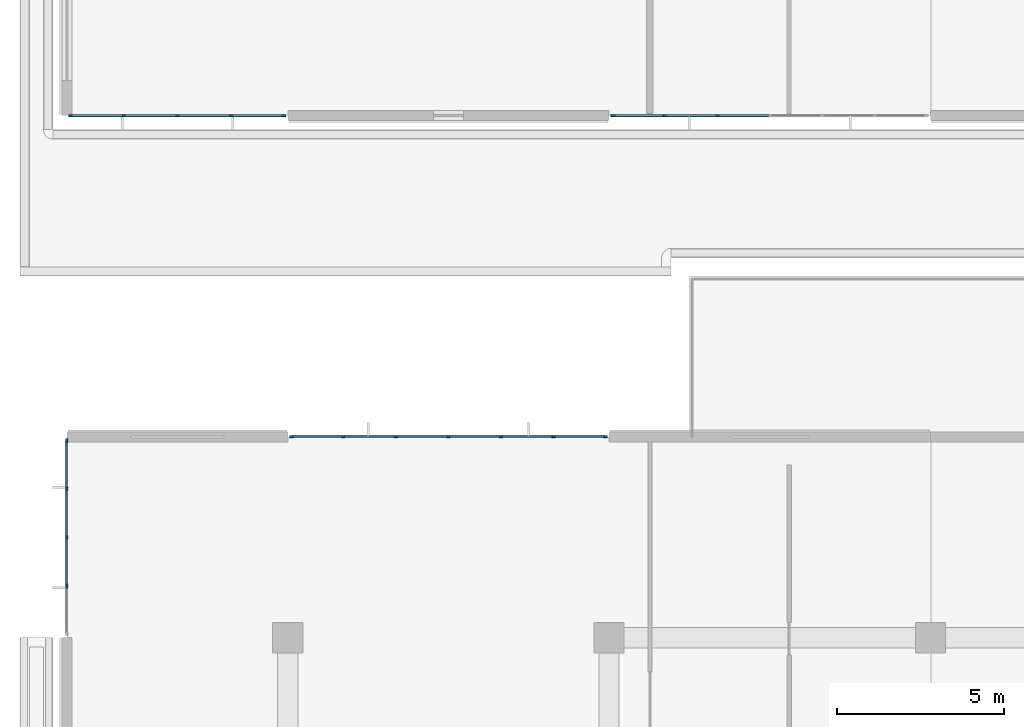
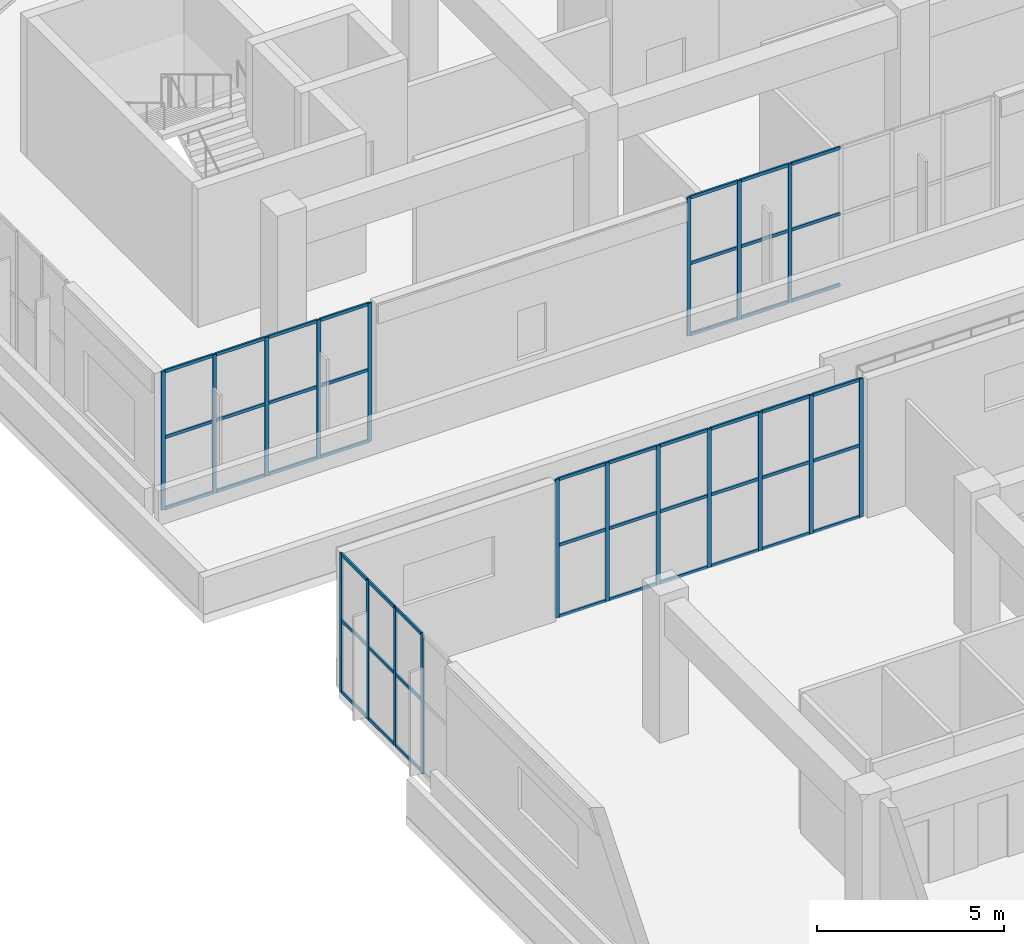
# One storey, part 11 of 96: 67 members, 4 elements without a shape of their own.
"""IFC4 building model written with IfcOpenShell, lengths in metres."""

from ifc_helpers import new_model, si_unit, direction, frame, origin, origin_2d, place, context, subcontext, project, spatial, rectangle, extrude, material, layer, layer_set, material_profile, profile_set, type_object, element, aggregate, save


model = new_model("IFC4")

# Units and contexts
model_context = context("Model", 3, precision=1e-05, world=origin(), true_north=direction((0.0, 1.0)))
body_context = subcontext(model_context, "Body", "Model", "MODEL_VIEW")
ifc_project = project(units=[si_unit("LENGTHUNIT", "METRE"), si_unit("AREAUNIT", "SQUARE_METRE"), si_unit("VOLUMEUNIT", "CUBIC_METRE"), si_unit("PLANEANGLEUNIT", "RADIAN"), si_unit("MASSUNIT", "GRAM", prefix="KILO")], contexts=[model_context])

# Site, building, storey
site_placement = place(None, origin())
site = spatial("IfcSite", under=ifc_project, at=site_placement, CompositionType="ELEMENT")
building_placement = place(site_placement, origin())
building = spatial("IfcBuilding", under=site, at=building_placement, Name="Cendralis Terraced Arcade", CompositionType="ELEMENT")
storey_placement = place(building_placement, frame((0.0, 0.0, 10.199951171875)))
storey = spatial("IfcBuildingStorey", under=building, at=storey_placement, Name="L02", CompositionType="ELEMENT", Elevation=10.199951171875)

# Curtain wall, members
ifc_material = material(Name="Anodised aluminium EN AW-6063 T6", Category="aluminium")
ifc_layer = layer(ifc_material, 0.1201171875, Name="CW-STORE-B")
ifc_layer_set = layer_set([ifc_layer], Name="Anodised aluminium EN AW-6063 T6")
curtain_wall_type = type_object("IfcCurtainWallType", Name="CW-STORE-B", PredefinedType="USERDEFINED", material=ifc_layer_set)
curtain_wall_1_placement = place(storey_placement, origin())
curtain_wall_1 = element("IfcCurtainWall", 1, at=curtain_wall_1_placement, inside=storey, type_object=curtain_wall_type, Name="Exterior Storefront Glazing CW-L02-0128", ObjectType="STOREFRONT GLAZING", PredefinedType="USERDEFINED")
ifc_material_profile_1 = material_profile(ifc_material, rectangle(XDim=0.054931640625, YDim=0.1201171875, at=origin_2d()), Name="ALU-MUL-55x120")
ifc_profile_set_1 = profile_set([ifc_material_profile_1], Name="Anodised aluminium EN AW-6063 T6")
member_type_1 = type_object("IfcMemberType", Name="CW-STORE-B-MUL", PredefinedType="MULLION", material=ifc_profile_set_1)
member_1_placement = place(storey_placement, frame((22.429931640625, 64.800048828125, 0.0), z_axis=(0.0, 0.0, 1.0), x_axis=(0.0, -1.0, 0.0)))
member_1 = element("IfcMember", 2, at=member_1_placement, type_object=member_type_1, Name="CW-S2 mullion 5", PredefinedType="MULLION", context=body_context, shape_type="SweptSolid", body=[
    extrude(rectangle(XDim=0.054931640625, YDim=0.1201171875, at=origin_2d()), origin(), (0.0, 0.0, 1.0), 4.51513671875),
])
member_2_placement = place(storey_placement, frame((20.860107421875, 64.800048828125, 0.0), z_axis=(0.0, 0.0, 1.0), x_axis=(0.0, -1.0, 0.0)))
member_2 = element("IfcMember", 3, at=member_2_placement, type_object=member_type_1, Name="CW-S2 mullion 6", PredefinedType="MULLION", context=body_context, shape_type="SweptSolid", body=[
    extrude(rectangle(XDim=0.054931640625, YDim=0.1201171875, at=origin_2d()), origin(), (0.0, 0.0, 1.0), 4.51513671875),
])
member_3_placement = place(storey_placement, frame((19.3173828125, 64.800048828125, 0.0), z_axis=(0.0, 0.0, 1.0), x_axis=(0.0, -1.0, 0.0)))
member_3 = element("IfcMember", 4, at=member_3_placement, type_object=member_type_1, Name="CW-S2 mullion 7", PredefinedType="MULLION", context=body_context, shape_type="SweptSolid", body=[
    extrude(rectangle(XDim=0.054931640625, YDim=0.1201171875, at=origin_2d()), origin(), (0.0, 0.0, 1.0), 4.51513671875),
])

curtain_wall_2_placement = place(storey_placement, origin())
curtain_wall_2 = element("IfcCurtainWall", 5, at=curtain_wall_2_placement, inside=storey, type_object=curtain_wall_type, Name="Exterior Storefront Glazing CW-L02-0129", ObjectType="STOREFRONT GLAZING", PredefinedType="USERDEFINED")
member_4_placement = place(storey_placement, frame((9.482421875, 64.800048828125, 0.0), z_axis=(0.0, 0.0, 1.0), x_axis=(0.0, -1.0, 0.0)))
member_4 = element("IfcMember", 6, at=member_4_placement, type_object=member_type_1, Name="CW-S2 mullion 1", PredefinedType="MULLION", context=body_context, shape_type="SweptSolid", body=[
    extrude(rectangle(XDim=0.054931640625, YDim=0.1201171875, at=origin_2d()), origin(), (0.0, 0.0, 1.0), 4.51513671875),
])
member_5_placement = place(storey_placement, frame((7.905029296875, 64.800048828125, 0.0), z_axis=(0.0, 0.0, 1.0), x_axis=(0.0, -1.0, 0.0)))
member_5 = element("IfcMember", 7, at=member_5_placement, type_object=member_type_1, Name="CW-S2 mullion 2", PredefinedType="MULLION", context=body_context, shape_type="SweptSolid", body=[
    extrude(rectangle(XDim=0.054931640625, YDim=0.1201171875, at=origin_2d()), origin(), (0.0, 0.0, 1.0), 4.51513671875),
])
member_6_placement = place(storey_placement, frame((6.300048828125, 64.800048828125, 0.0), z_axis=(0.0, 0.0, 1.0), x_axis=(0.0, -1.0, 0.0)))
member_6 = element("IfcMember", 8, at=member_6_placement, type_object=member_type_1, Name="CW-S2 mullion 3", PredefinedType="MULLION", context=body_context, shape_type="SweptSolid", body=[
    extrude(rectangle(XDim=0.054931640625, YDim=0.1201171875, at=origin_2d()), origin(), (0.0, 0.0, 1.0), 4.51513671875),
])
member_7_placement = place(storey_placement, frame((4.695068359375, 64.800048828125, 0.0), z_axis=(0.0, 0.0, 1.0), x_axis=(0.0, -1.0, 0.0)))
member_7 = element("IfcMember", 9, at=member_7_placement, type_object=member_type_1, Name="CW-S2 mullion 4", PredefinedType="MULLION", context=body_context, shape_type="SweptSolid", body=[
    extrude(rectangle(XDim=0.054931640625, YDim=0.1201171875, at=origin_2d()), origin(), (0.0, 0.0, 1.0), 4.51513671875),
])
member_8_placement = place(storey_placement, frame((3.117431640625, 64.800048828125, 0.0), z_axis=(0.0, 0.0, 1.0), x_axis=(0.0, -1.0, 0.0)))
member_8 = element("IfcMember", 10, at=member_8_placement, type_object=member_type_1, Name="CW-S2 mullion 5", PredefinedType="MULLION", context=body_context, shape_type="SweptSolid", body=[
    extrude(rectangle(XDim=0.054931640625, YDim=0.1201171875, at=origin_2d()), origin(), (0.0, 0.0, 1.0), 4.51513671875),
])

curtain_wall_3_placement = place(storey_placement, origin())
curtain_wall_3 = element("IfcCurtainWall", 11, at=curtain_wall_3_placement, inside=storey, type_object=curtain_wall_type, Name="Exterior Storefront Glazing CW-L02-0222", ObjectType="STOREFRONT GLAZING", PredefinedType="USERDEFINED")
member_9_placement = place(storey_placement, frame((3.0, 50.7451171875, 0.0), z_axis=(0.0, 0.0, 1.0), x_axis=(-1.0, 0.0, 0.0)))
member_9 = element("IfcMember", 12, at=member_9_placement, type_object=member_type_1, Name="CW-S2 mullion 2", PredefinedType="MULLION", context=body_context, shape_type="SweptSolid", body=[
    extrude(rectangle(XDim=0.054931640625, YDim=0.1201171875, at=origin_2d()), origin(), (0.0, 0.0, 1.0), 4.51513671875),
])
member_10_placement = place(storey_placement, frame((3.0, 52.199951171875, 0.0), z_axis=(0.0, 0.0, 1.0), x_axis=(-1.0, 0.0, 0.0)))
member_10 = element("IfcMember", 13, at=member_10_placement, type_object=member_type_1, Name="CW-S2 mullion 3", PredefinedType="MULLION", context=body_context, shape_type="SweptSolid", body=[
    extrude(rectangle(XDim=0.054931640625, YDim=0.1201171875, at=origin_2d()), origin(), (0.0, 0.0, 1.0), 4.51513671875),
])
member_11_placement = place(storey_placement, frame((3.0, 53.655029296875, 0.0), z_axis=(0.0, 0.0, 1.0), x_axis=(-1.0, 0.0, 0.0)))
member_11 = element("IfcMember", 14, at=member_11_placement, type_object=member_type_1, Name="CW-S2 mullion 4", PredefinedType="MULLION", context=body_context, shape_type="SweptSolid", body=[
    extrude(rectangle(XDim=0.054931640625, YDim=0.1201171875, at=origin_2d()), origin(), (0.0, 0.0, 1.0), 4.51513671875),
])
member_12_placement = place(storey_placement, frame((3.0, 55.08251953125, 0.0), z_axis=(0.0, 0.0, 1.0), x_axis=(-1.0, 0.0, 0.0)))
member_12 = element("IfcMember", 15, at=member_12_placement, type_object=member_type_1, Name="CW-S2 mullion 5", PredefinedType="MULLION", context=body_context, shape_type="SweptSolid", body=[
    extrude(rectangle(XDim=0.054931640625, YDim=0.1201171875, at=origin_2d()), origin(), (0.0, 0.0, 1.0), 4.51513671875),
])

curtain_wall_4_placement = place(storey_placement, origin())
curtain_wall_4 = element("IfcCurtainWall", 16, at=curtain_wall_4_placement, inside=storey, type_object=curtain_wall_type, Name="Exterior Storefront Glazing CW-L02-0223", ObjectType="STOREFRONT GLAZING", PredefinedType="USERDEFINED")
member_13_placement = place(storey_placement, frame((9.717529296875, 55.199951171875, 0.0), z_axis=(0.0, 0.0, 1.0), x_axis=(0.0, 1.0, 0.0)))
member_13 = element("IfcMember", 17, at=member_13_placement, type_object=member_type_1, Name="CW-S2 mullion 1", PredefinedType="MULLION", context=body_context, shape_type="SweptSolid", body=[
    extrude(rectangle(XDim=0.054931640625, YDim=0.1201171875, at=origin_2d()), origin(), (0.0, 0.0, 1.0), 4.51513671875),
])
member_14_placement = place(storey_placement, frame((11.260009765625, 55.199951171875, 0.0), z_axis=(0.0, 0.0, 1.0), x_axis=(0.0, 1.0, 0.0)))
member_14 = element("IfcMember", 18, at=member_14_placement, type_object=member_type_1, Name="CW-S2 mullion 2", PredefinedType="MULLION", context=body_context, shape_type="SweptSolid", body=[
    extrude(rectangle(XDim=0.054931640625, YDim=0.1201171875, at=origin_2d()), origin(), (0.0, 0.0, 1.0), 4.51513671875),
])
member_15_placement = place(storey_placement, frame((12.830078125, 55.199951171875, 0.0), z_axis=(0.0, 0.0, 1.0), x_axis=(0.0, 1.0, 0.0)))
member_15 = element("IfcMember", 19, at=member_15_placement, type_object=member_type_1, Name="CW-S2 mullion 3", PredefinedType="MULLION", context=body_context, shape_type="SweptSolid", body=[
    extrude(rectangle(XDim=0.054931640625, YDim=0.1201171875, at=origin_2d()), origin(), (0.0, 0.0, 1.0), 4.51513671875),
])
member_16_placement = place(storey_placement, frame((14.39990234375, 55.199951171875, 0.0), z_axis=(0.0, 0.0, 1.0), x_axis=(0.0, 1.0, 0.0)))
member_16 = element("IfcMember", 20, at=member_16_placement, type_object=member_type_1, Name="CW-S2 mullion 4", PredefinedType="MULLION", context=body_context, shape_type="SweptSolid", body=[
    extrude(rectangle(XDim=0.054931640625, YDim=0.1201171875, at=origin_2d()), origin(), (0.0, 0.0, 1.0), 4.51513671875),
])
member_17_placement = place(storey_placement, frame((15.969970703125, 55.199951171875, 0.0), z_axis=(0.0, 0.0, 1.0), x_axis=(0.0, 1.0, 0.0)))
member_17 = element("IfcMember", 21, at=member_17_placement, type_object=member_type_1, Name="CW-S2 mullion 5", PredefinedType="MULLION", context=body_context, shape_type="SweptSolid", body=[
    extrude(rectangle(XDim=0.054931640625, YDim=0.1201171875, at=origin_2d()), origin(), (0.0, 0.0, 1.0), 4.51513671875),
])
member_18_placement = place(storey_placement, frame((17.5400390625, 55.199951171875, 0.0), z_axis=(0.0, 0.0, 1.0), x_axis=(0.0, 1.0, 0.0)))
member_18 = element("IfcMember", 22, at=member_18_placement, type_object=member_type_1, Name="CW-S2 mullion 6", PredefinedType="MULLION", context=body_context, shape_type="SweptSolid", body=[
    extrude(rectangle(XDim=0.054931640625, YDim=0.1201171875, at=origin_2d()), origin(), (0.0, 0.0, 1.0), 4.51513671875),
])
member_19_placement = place(storey_placement, frame((19.08251953125, 55.199951171875, 0.0), z_axis=(0.0, 0.0, 1.0), x_axis=(0.0, 1.0, 0.0)))
member_19 = element("IfcMember", 23, at=member_19_placement, type_object=member_type_1, Name="CW-S2 mullion 7", PredefinedType="MULLION", context=body_context, shape_type="SweptSolid", body=[
    extrude(rectangle(XDim=0.054931640625, YDim=0.1201171875, at=origin_2d()), origin(), (0.0, 0.0, 1.0), 4.51513671875),
])

# Member
ifc_material_profile_2 = material_profile(ifc_material, rectangle(XDim=0.054931640625, YDim=0.10009765625, at=origin_2d()), Name="ALU-TRN-55x100")
ifc_profile_set_2 = profile_set([ifc_material_profile_2], Name="Anodised aluminium EN AW-6063 T6")
member_type_2 = type_object("IfcMemberType", Name="CW-STORE-B-TRN", PredefinedType="USERDEFINED", material=ifc_profile_set_2)
member_20_placement = place(storey_placement, frame((23.972412109375, 64.800048828125, 0.027587890625), z_axis=(-1.0, 0.0, 0.0), x_axis=(0.0, -1.0, 0.0)))
member_20 = element("IfcMember", 24, at=member_20_placement, type_object=member_type_2, Name="CW-S2 transom 4.1", ObjectType="TRANSOM", PredefinedType="USERDEFINED", context=body_context, shape_type="SweptSolid", body=[
    extrude(rectangle(XDim=0.054931640625, YDim=0.10009765625, at=origin_2d()), origin(), (0.0, 0.0, 1.0), 1.514892578125),
])

member_21_placement = place(storey_placement, frame((23.972412109375, 64.800048828125, 2.347900390625), z_axis=(-1.0, 0.0, 0.0), x_axis=(0.0, -1.0, 0.0)))
member_21 = element("IfcMember", 25, at=member_21_placement, type_object=member_type_2, Name="CW-S2 transom 4.2", ObjectType="TRANSOM", PredefinedType="USERDEFINED", context=body_context, shape_type="SweptSolid", body=[
    extrude(rectangle(XDim=0.054931640625, YDim=0.10009765625, at=origin_2d()), origin(), (0.0, 0.0, 1.0), 1.514892578125),
])

member_22_placement = place(storey_placement, frame((23.972412109375, 64.800048828125, 4.487548828125), z_axis=(-1.0, 0.0, 0.0), x_axis=(0.0, -1.0, 0.0)))
member_22 = element("IfcMember", 26, at=member_22_placement, type_object=member_type_2, Name="CW-S2 transom 4.3", ObjectType="TRANSOM", PredefinedType="USERDEFINED", context=body_context, shape_type="SweptSolid", body=[
    extrude(rectangle(XDim=0.054931640625, YDim=0.10009765625, at=origin_2d()), origin(), (0.0, 0.0, 1.0), 1.514892578125),
])

member_23_placement = place(storey_placement, frame((22.402587890625, 64.800048828125, 0.027587890625), z_axis=(-1.0, 0.0, 0.0), x_axis=(0.0, -1.0, 0.0)))
member_23 = element("IfcMember", 27, at=member_23_placement, type_object=member_type_2, Name="CW-S2 transom 5.1", ObjectType="TRANSOM", PredefinedType="USERDEFINED", context=body_context, shape_type="SweptSolid", body=[
    extrude(rectangle(XDim=0.054931640625, YDim=0.10009765625, at=origin_2d()), origin(), (0.0, 0.0, 1.0), 1.51513671875),
])

member_24_placement = place(storey_placement, frame((22.402587890625, 64.800048828125, 2.347900390625), z_axis=(-1.0, 0.0, 0.0), x_axis=(0.0, -1.0, 0.0)))
member_24 = element("IfcMember", 28, at=member_24_placement, type_object=member_type_2, Name="CW-S2 transom 5.2", ObjectType="TRANSOM", PredefinedType="USERDEFINED", context=body_context, shape_type="SweptSolid", body=[
    extrude(rectangle(XDim=0.054931640625, YDim=0.10009765625, at=origin_2d()), origin(), (0.0, 0.0, 1.0), 1.51513671875),
])

member_25_placement = place(storey_placement, frame((22.402587890625, 64.800048828125, 4.487548828125), z_axis=(-1.0, 0.0, 0.0), x_axis=(0.0, -1.0, 0.0)))
member_25 = element("IfcMember", 29, at=member_25_placement, type_object=member_type_2, Name="CW-S2 transom 5.3", ObjectType="TRANSOM", PredefinedType="USERDEFINED", context=body_context, shape_type="SweptSolid", body=[
    extrude(rectangle(XDim=0.054931640625, YDim=0.10009765625, at=origin_2d()), origin(), (0.0, 0.0, 1.0), 1.51513671875),
])

member_26_placement = place(storey_placement, frame((20.83251953125, 64.800048828125, 0.027587890625), z_axis=(-1.0, 0.0, 0.0), x_axis=(0.0, -1.0, 0.0)))
member_26 = element("IfcMember", 30, at=member_26_placement, type_object=member_type_2, Name="CW-S2 transom 6.1", ObjectType="TRANSOM", PredefinedType="USERDEFINED", context=body_context, shape_type="SweptSolid", body=[
    extrude(rectangle(XDim=0.054931640625, YDim=0.10009765625, at=origin_2d()), origin(), (0.0, 0.0, 1.0), 1.487548828125),
])

member_27_placement = place(storey_placement, frame((20.83251953125, 64.800048828125, 2.347900390625), z_axis=(-1.0, 0.0, 0.0), x_axis=(0.0, -1.0, 0.0)))
member_27 = element("IfcMember", 31, at=member_27_placement, type_object=member_type_2, Name="CW-S2 transom 6.2", ObjectType="TRANSOM", PredefinedType="USERDEFINED", context=body_context, shape_type="SweptSolid", body=[
    extrude(rectangle(XDim=0.054931640625, YDim=0.10009765625, at=origin_2d()), origin(), (0.0, 0.0, 1.0), 1.487548828125),
])

member_28_placement = place(storey_placement, frame((20.83251953125, 64.800048828125, 4.487548828125), z_axis=(-1.0, 0.0, 0.0), x_axis=(0.0, -1.0, 0.0)))
member_28 = element("IfcMember", 32, at=member_28_placement, type_object=member_type_2, Name="CW-S2 transom 6.3", ObjectType="TRANSOM", PredefinedType="USERDEFINED", context=body_context, shape_type="SweptSolid", body=[
    extrude(rectangle(XDim=0.054931640625, YDim=0.10009765625, at=origin_2d()), origin(), (0.0, 0.0, 1.0), 1.487548828125),
])

aggregate(curtain_wall_1, [member_1, member_2, member_3, member_20, member_21, member_22, member_23, member_24, member_25, member_26, member_27, member_28])

member_29_placement = place(storey_placement, frame((9.455078125, 64.800048828125, 0.027587890625), z_axis=(-1.0, 0.0, 0.0), x_axis=(0.0, -1.0, 0.0)))
member_29 = element("IfcMember", 33, at=member_29_placement, type_object=member_type_2, Name="CW-S2 transom 1.1", ObjectType="TRANSOM", PredefinedType="USERDEFINED", context=body_context, shape_type="SweptSolid", body=[
    extrude(rectangle(XDim=0.054931640625, YDim=0.10009765625, at=origin_2d()), origin(), (0.0, 0.0, 1.0), 1.5224609375),
])

member_30_placement = place(storey_placement, frame((9.455078125, 64.800048828125, 2.347900390625), z_axis=(-1.0, 0.0, 0.0), x_axis=(0.0, -1.0, 0.0)))
member_30 = element("IfcMember", 34, at=member_30_placement, type_object=member_type_2, Name="CW-S2 transom 1.2", ObjectType="TRANSOM", PredefinedType="USERDEFINED", context=body_context, shape_type="SweptSolid", body=[
    extrude(rectangle(XDim=0.054931640625, YDim=0.10009765625, at=origin_2d()), origin(), (0.0, 0.0, 1.0), 1.5224609375),
])

member_31_placement = place(storey_placement, frame((9.455078125, 64.800048828125, 4.487548828125), z_axis=(-1.0, 0.0, 0.0), x_axis=(0.0, -1.0, 0.0)))
member_31 = element("IfcMember", 35, at=member_31_placement, type_object=member_type_2, Name="CW-S2 transom 1.3", ObjectType="TRANSOM", PredefinedType="USERDEFINED", context=body_context, shape_type="SweptSolid", body=[
    extrude(rectangle(XDim=0.054931640625, YDim=0.10009765625, at=origin_2d()), origin(), (0.0, 0.0, 1.0), 1.5224609375),
])

member_32_placement = place(storey_placement, frame((7.87744140625, 64.800048828125, 0.027587890625), z_axis=(-1.0, 0.0, 0.0), x_axis=(0.0, -1.0, 0.0)))
member_32 = element("IfcMember", 36, at=member_32_placement, type_object=member_type_2, Name="CW-S2 transom 2.1", ObjectType="TRANSOM", PredefinedType="USERDEFINED", context=body_context, shape_type="SweptSolid", body=[
    extrude(rectangle(XDim=0.054931640625, YDim=0.10009765625, at=origin_2d()), origin(), (0.0, 0.0, 1.0), 1.550048828125),
])

member_33_placement = place(storey_placement, frame((7.87744140625, 64.800048828125, 2.347900390625), z_axis=(-1.0, 0.0, 0.0), x_axis=(0.0, -1.0, 0.0)))
member_33 = element("IfcMember", 37, at=member_33_placement, type_object=member_type_2, Name="CW-S2 transom 2.2", ObjectType="TRANSOM", PredefinedType="USERDEFINED", context=body_context, shape_type="SweptSolid", body=[
    extrude(rectangle(XDim=0.054931640625, YDim=0.10009765625, at=origin_2d()), origin(), (0.0, 0.0, 1.0), 1.550048828125),
])

member_34_placement = place(storey_placement, frame((7.87744140625, 64.800048828125, 4.487548828125), z_axis=(-1.0, 0.0, 0.0), x_axis=(0.0, -1.0, 0.0)))
member_34 = element("IfcMember", 38, at=member_34_placement, type_object=member_type_2, Name="CW-S2 transom 2.3", ObjectType="TRANSOM", PredefinedType="USERDEFINED", context=body_context, shape_type="SweptSolid", body=[
    extrude(rectangle(XDim=0.054931640625, YDim=0.10009765625, at=origin_2d()), origin(), (0.0, 0.0, 1.0), 1.550048828125),
])

member_35_placement = place(storey_placement, frame((6.2724609375, 64.800048828125, 0.027587890625), z_axis=(-1.0, 0.0, 0.0), x_axis=(0.0, -1.0, 0.0)))
member_35 = element("IfcMember", 39, at=member_35_placement, type_object=member_type_2, Name="CW-S2 transom 3.1", ObjectType="TRANSOM", PredefinedType="USERDEFINED", context=body_context, shape_type="SweptSolid", body=[
    extrude(rectangle(XDim=0.054931640625, YDim=0.10009765625, at=origin_2d()), origin(), (0.0, 0.0, 1.0), 1.550048828125),
])

member_36_placement = place(storey_placement, frame((6.2724609375, 64.800048828125, 2.347900390625), z_axis=(-1.0, 0.0, 0.0), x_axis=(0.0, -1.0, 0.0)))
member_36 = element("IfcMember", 40, at=member_36_placement, type_object=member_type_2, Name="CW-S2 transom 3.2", ObjectType="TRANSOM", PredefinedType="USERDEFINED", context=body_context, shape_type="SweptSolid", body=[
    extrude(rectangle(XDim=0.054931640625, YDim=0.10009765625, at=origin_2d()), origin(), (0.0, 0.0, 1.0), 1.550048828125),
])

member_37_placement = place(storey_placement, frame((6.2724609375, 64.800048828125, 4.487548828125), z_axis=(-1.0, 0.0, 0.0), x_axis=(0.0, -1.0, 0.0)))
member_37 = element("IfcMember", 41, at=member_37_placement, type_object=member_type_2, Name="CW-S2 transom 3.3", ObjectType="TRANSOM", PredefinedType="USERDEFINED", context=body_context, shape_type="SweptSolid", body=[
    extrude(rectangle(XDim=0.054931640625, YDim=0.10009765625, at=origin_2d()), origin(), (0.0, 0.0, 1.0), 1.550048828125),
])

member_38_placement = place(storey_placement, frame((4.66748046875, 64.800048828125, 0.027587890625), z_axis=(-1.0, 0.0, 0.0), x_axis=(0.0, -1.0, 0.0)))
member_38 = element("IfcMember", 42, at=member_38_placement, type_object=member_type_2, Name="CW-S2 transom 4.1", ObjectType="TRANSOM", PredefinedType="USERDEFINED", context=body_context, shape_type="SweptSolid", body=[
    extrude(rectangle(XDim=0.054931640625, YDim=0.10009765625, at=origin_2d()), origin(), (0.0, 0.0, 1.0), 1.5224609375),
])

member_39_placement = place(storey_placement, frame((4.66748046875, 64.800048828125, 2.347900390625), z_axis=(-1.0, 0.0, 0.0), x_axis=(0.0, -1.0, 0.0)))
member_39 = element("IfcMember", 43, at=member_39_placement, type_object=member_type_2, Name="CW-S2 transom 4.2", ObjectType="TRANSOM", PredefinedType="USERDEFINED", context=body_context, shape_type="SweptSolid", body=[
    extrude(rectangle(XDim=0.054931640625, YDim=0.10009765625, at=origin_2d()), origin(), (0.0, 0.0, 1.0), 1.5224609375),
])

member_40_placement = place(storey_placement, frame((4.66748046875, 64.800048828125, 4.487548828125), z_axis=(-1.0, 0.0, 0.0), x_axis=(0.0, -1.0, 0.0)))
member_40 = element("IfcMember", 44, at=member_40_placement, type_object=member_type_2, Name="CW-S2 transom 4.3", ObjectType="TRANSOM", PredefinedType="USERDEFINED", context=body_context, shape_type="SweptSolid", body=[
    extrude(rectangle(XDim=0.054931640625, YDim=0.10009765625, at=origin_2d()), origin(), (0.0, 0.0, 1.0), 1.5224609375),
])

aggregate(curtain_wall_2, [member_4, member_5, member_6, member_7, member_8, member_29, member_30, member_31, member_32, member_33, member_34, member_35, member_36, member_37, member_38, member_39, member_40])

member_41_placement = place(storey_placement, frame((3.0, 50.7724609375, 0.027587890625), z_axis=(0.0, 1.0, 0.0), x_axis=(-1.0, 0.0, 0.0)))
member_41 = element("IfcMember", 45, at=member_41_placement, type_object=member_type_2, Name="CW-S2 transom 2.1", ObjectType="TRANSOM", PredefinedType="USERDEFINED", context=body_context, shape_type="SweptSolid", body=[
    extrude(rectangle(XDim=0.054931640625, YDim=0.10009765625, at=origin_2d()), origin(), (0.0, 0.0, 1.0), 1.400146484375),
])

member_42_placement = place(storey_placement, frame((3.0, 50.7724609375, 2.347900390625), z_axis=(0.0, 1.0, 0.0), x_axis=(-1.0, 0.0, 0.0)))
member_42 = element("IfcMember", 46, at=member_42_placement, type_object=member_type_2, Name="CW-S2 transom 2.2", ObjectType="TRANSOM", PredefinedType="USERDEFINED", context=body_context, shape_type="SweptSolid", body=[
    extrude(rectangle(XDim=0.054931640625, YDim=0.10009765625, at=origin_2d()), origin(), (0.0, 0.0, 1.0), 1.400146484375),
])

member_43_placement = place(storey_placement, frame((3.0, 50.7724609375, 4.487548828125), z_axis=(0.0, 1.0, 0.0), x_axis=(-1.0, 0.0, 0.0)))
member_43 = element("IfcMember", 47, at=member_43_placement, type_object=member_type_2, Name="CW-S2 transom 2.3", ObjectType="TRANSOM", PredefinedType="USERDEFINED", context=body_context, shape_type="SweptSolid", body=[
    extrude(rectangle(XDim=0.054931640625, YDim=0.10009765625, at=origin_2d()), origin(), (0.0, 0.0, 1.0), 1.400146484375),
])

member_44_placement = place(storey_placement, frame((3.0, 52.2275390625, 0.027587890625), z_axis=(0.0, 1.0, 0.0), x_axis=(-1.0, 0.0, 0.0)))
member_44 = element("IfcMember", 48, at=member_44_placement, type_object=member_type_2, Name="CW-S2 transom 3.1", ObjectType="TRANSOM", PredefinedType="USERDEFINED", context=body_context, shape_type="SweptSolid", body=[
    extrude(rectangle(XDim=0.054931640625, YDim=0.10009765625, at=origin_2d()), origin(), (0.0, 0.0, 1.0), 1.39990234375),
])

member_45_placement = place(storey_placement, frame((3.0, 52.2275390625, 2.347900390625), z_axis=(0.0, 1.0, 0.0), x_axis=(-1.0, 0.0, 0.0)))
member_45 = element("IfcMember", 49, at=member_45_placement, type_object=member_type_2, Name="CW-S2 transom 3.2", ObjectType="TRANSOM", PredefinedType="USERDEFINED", context=body_context, shape_type="SweptSolid", body=[
    extrude(rectangle(XDim=0.054931640625, YDim=0.10009765625, at=origin_2d()), origin(), (0.0, 0.0, 1.0), 1.39990234375),
])

member_46_placement = place(storey_placement, frame((3.0, 52.2275390625, 4.487548828125), z_axis=(0.0, 1.0, 0.0), x_axis=(-1.0, 0.0, 0.0)))
member_46 = element("IfcMember", 50, at=member_46_placement, type_object=member_type_2, Name="CW-S2 transom 3.3", ObjectType="TRANSOM", PredefinedType="USERDEFINED", context=body_context, shape_type="SweptSolid", body=[
    extrude(rectangle(XDim=0.054931640625, YDim=0.10009765625, at=origin_2d()), origin(), (0.0, 0.0, 1.0), 1.39990234375),
])

member_47_placement = place(storey_placement, frame((3.0, 53.6826171875, 0.027587890625), z_axis=(0.0, 1.0, 0.0), x_axis=(-1.0, 0.0, 0.0)))
member_47 = element("IfcMember", 51, at=member_47_placement, type_object=member_type_2, Name="CW-S2 transom 4.1", ObjectType="TRANSOM", PredefinedType="USERDEFINED", context=body_context, shape_type="SweptSolid", body=[
    extrude(rectangle(XDim=0.054931640625, YDim=0.10009765625, at=origin_2d()), origin(), (0.0, 0.0, 1.0), 1.372314453125),
])

member_48_placement = place(storey_placement, frame((3.0, 53.6826171875, 2.347900390625), z_axis=(0.0, 1.0, 0.0), x_axis=(-1.0, 0.0, 0.0)))
member_48 = element("IfcMember", 52, at=member_48_placement, type_object=member_type_2, Name="CW-S2 transom 4.2", ObjectType="TRANSOM", PredefinedType="USERDEFINED", context=body_context, shape_type="SweptSolid", body=[
    extrude(rectangle(XDim=0.054931640625, YDim=0.10009765625, at=origin_2d()), origin(), (0.0, 0.0, 1.0), 1.372314453125),
])

member_49_placement = place(storey_placement, frame((3.0, 53.6826171875, 4.487548828125), z_axis=(0.0, 1.0, 0.0), x_axis=(-1.0, 0.0, 0.0)))
member_49 = element("IfcMember", 53, at=member_49_placement, type_object=member_type_2, Name="CW-S2 transom 4.3", ObjectType="TRANSOM", PredefinedType="USERDEFINED", context=body_context, shape_type="SweptSolid", body=[
    extrude(rectangle(XDim=0.054931640625, YDim=0.10009765625, at=origin_2d()), origin(), (0.0, 0.0, 1.0), 1.372314453125),
])

aggregate(curtain_wall_3, [member_9, member_10, member_11, member_12, member_41, member_42, member_43, member_44, member_45, member_46, member_47, member_48, member_49])

member_50_placement = place(storey_placement, frame((9.7451171875, 55.199951171875, 0.027587890625), z_axis=(1.0, 0.0, 0.0), x_axis=(0.0, 1.0, 0.0)))
member_50 = element("IfcMember", 54, at=member_50_placement, type_object=member_type_2, Name="CW-S2 transom 1.1", ObjectType="TRANSOM", PredefinedType="USERDEFINED", context=body_context, shape_type="SweptSolid", body=[
    extrude(rectangle(XDim=0.054931640625, YDim=0.10009765625, at=origin_2d()), origin(), (0.0, 0.0, 1.0), 1.4873046875),
])

member_51_placement = place(storey_placement, frame((9.7451171875, 55.199951171875, 2.347900390625), z_axis=(1.0, 0.0, 0.0), x_axis=(0.0, 1.0, 0.0)))
member_51 = element("IfcMember", 55, at=member_51_placement, type_object=member_type_2, Name="CW-S2 transom 1.2", ObjectType="TRANSOM", PredefinedType="USERDEFINED", context=body_context, shape_type="SweptSolid", body=[
    extrude(rectangle(XDim=0.054931640625, YDim=0.10009765625, at=origin_2d()), origin(), (0.0, 0.0, 1.0), 1.4873046875),
])

member_52_placement = place(storey_placement, frame((9.7451171875, 55.199951171875, 4.487548828125), z_axis=(1.0, 0.0, 0.0), x_axis=(0.0, 1.0, 0.0)))
member_52 = element("IfcMember", 56, at=member_52_placement, type_object=member_type_2, Name="CW-S2 transom 1.3", ObjectType="TRANSOM", PredefinedType="USERDEFINED", context=body_context, shape_type="SweptSolid", body=[
    extrude(rectangle(XDim=0.054931640625, YDim=0.10009765625, at=origin_2d()), origin(), (0.0, 0.0, 1.0), 1.4873046875),
])

member_53_placement = place(storey_placement, frame((11.28759765625, 55.199951171875, 0.027587890625), z_axis=(1.0, 0.0, 0.0), x_axis=(0.0, 1.0, 0.0)))
member_53 = element("IfcMember", 57, at=member_53_placement, type_object=member_type_2, Name="CW-S2 transom 2.1", ObjectType="TRANSOM", PredefinedType="USERDEFINED", context=body_context, shape_type="SweptSolid", body=[
    extrude(rectangle(XDim=0.054931640625, YDim=0.10009765625, at=origin_2d()), origin(), (0.0, 0.0, 1.0), 1.514892578125),
])

member_54_placement = place(storey_placement, frame((11.28759765625, 55.199951171875, 2.347900390625), z_axis=(1.0, 0.0, 0.0), x_axis=(0.0, 1.0, 0.0)))
member_54 = element("IfcMember", 58, at=member_54_placement, type_object=member_type_2, Name="CW-S2 transom 2.2", ObjectType="TRANSOM", PredefinedType="USERDEFINED", context=body_context, shape_type="SweptSolid", body=[
    extrude(rectangle(XDim=0.054931640625, YDim=0.10009765625, at=origin_2d()), origin(), (0.0, 0.0, 1.0), 1.514892578125),
])

member_55_placement = place(storey_placement, frame((11.28759765625, 55.199951171875, 4.487548828125), z_axis=(1.0, 0.0, 0.0), x_axis=(0.0, 1.0, 0.0)))
member_55 = element("IfcMember", 59, at=member_55_placement, type_object=member_type_2, Name="CW-S2 transom 2.3", ObjectType="TRANSOM", PredefinedType="USERDEFINED", context=body_context, shape_type="SweptSolid", body=[
    extrude(rectangle(XDim=0.054931640625, YDim=0.10009765625, at=origin_2d()), origin(), (0.0, 0.0, 1.0), 1.514892578125),
])

member_56_placement = place(storey_placement, frame((12.857421875, 55.199951171875, 0.027587890625), z_axis=(1.0, 0.0, 0.0), x_axis=(0.0, 1.0, 0.0)))
member_56 = element("IfcMember", 60, at=member_56_placement, type_object=member_type_2, Name="CW-S2 transom 3.1", ObjectType="TRANSOM", PredefinedType="USERDEFINED", context=body_context, shape_type="SweptSolid", body=[
    extrude(rectangle(XDim=0.054931640625, YDim=0.10009765625, at=origin_2d()), origin(), (0.0, 0.0, 1.0), 1.51513671875),
])

member_57_placement = place(storey_placement, frame((12.857421875, 55.199951171875, 2.347900390625), z_axis=(1.0, 0.0, 0.0), x_axis=(0.0, 1.0, 0.0)))
member_57 = element("IfcMember", 61, at=member_57_placement, type_object=member_type_2, Name="CW-S2 transom 3.2", ObjectType="TRANSOM", PredefinedType="USERDEFINED", context=body_context, shape_type="SweptSolid", body=[
    extrude(rectangle(XDim=0.054931640625, YDim=0.10009765625, at=origin_2d()), origin(), (0.0, 0.0, 1.0), 1.51513671875),
])

member_58_placement = place(storey_placement, frame((12.857421875, 55.199951171875, 4.487548828125), z_axis=(1.0, 0.0, 0.0), x_axis=(0.0, 1.0, 0.0)))
member_58 = element("IfcMember", 62, at=member_58_placement, type_object=member_type_2, Name="CW-S2 transom 3.3", ObjectType="TRANSOM", PredefinedType="USERDEFINED", context=body_context, shape_type="SweptSolid", body=[
    extrude(rectangle(XDim=0.054931640625, YDim=0.10009765625, at=origin_2d()), origin(), (0.0, 0.0, 1.0), 1.51513671875),
])

member_59_placement = place(storey_placement, frame((14.427490234375, 55.199951171875, 0.027587890625), z_axis=(1.0, 0.0, 0.0), x_axis=(0.0, 1.0, 0.0)))
member_59 = element("IfcMember", 63, at=member_59_placement, type_object=member_type_2, Name="CW-S2 transom 4.1", ObjectType="TRANSOM", PredefinedType="USERDEFINED", context=body_context, shape_type="SweptSolid", body=[
    extrude(rectangle(XDim=0.054931640625, YDim=0.10009765625, at=origin_2d()), origin(), (0.0, 0.0, 1.0), 1.514892578125),
])

member_60_placement = place(storey_placement, frame((14.427490234375, 55.199951171875, 2.347900390625), z_axis=(1.0, 0.0, 0.0), x_axis=(0.0, 1.0, 0.0)))
member_60 = element("IfcMember", 64, at=member_60_placement, type_object=member_type_2, Name="CW-S2 transom 4.2", ObjectType="TRANSOM", PredefinedType="USERDEFINED", context=body_context, shape_type="SweptSolid", body=[
    extrude(rectangle(XDim=0.054931640625, YDim=0.10009765625, at=origin_2d()), origin(), (0.0, 0.0, 1.0), 1.514892578125),
])

member_61_placement = place(storey_placement, frame((14.427490234375, 55.199951171875, 4.487548828125), z_axis=(1.0, 0.0, 0.0), x_axis=(0.0, 1.0, 0.0)))
member_61 = element("IfcMember", 65, at=member_61_placement, type_object=member_type_2, Name="CW-S2 transom 4.3", ObjectType="TRANSOM", PredefinedType="USERDEFINED", context=body_context, shape_type="SweptSolid", body=[
    extrude(rectangle(XDim=0.054931640625, YDim=0.10009765625, at=origin_2d()), origin(), (0.0, 0.0, 1.0), 1.514892578125),
])

member_62_placement = place(storey_placement, frame((15.99755859375, 55.199951171875, 0.027587890625), z_axis=(1.0, 0.0, 0.0), x_axis=(0.0, 1.0, 0.0)))
member_62 = element("IfcMember", 66, at=member_62_placement, type_object=member_type_2, Name="CW-S2 transom 5.1", ObjectType="TRANSOM", PredefinedType="USERDEFINED", context=body_context, shape_type="SweptSolid", body=[
    extrude(rectangle(XDim=0.054931640625, YDim=0.10009765625, at=origin_2d()), origin(), (0.0, 0.0, 1.0), 1.514892578125),
])

member_63_placement = place(storey_placement, frame((15.99755859375, 55.199951171875, 2.347900390625), z_axis=(1.0, 0.0, 0.0), x_axis=(0.0, 1.0, 0.0)))
member_63 = element("IfcMember", 67, at=member_63_placement, type_object=member_type_2, Name="CW-S2 transom 5.2", ObjectType="TRANSOM", PredefinedType="USERDEFINED", context=body_context, shape_type="SweptSolid", body=[
    extrude(rectangle(XDim=0.054931640625, YDim=0.10009765625, at=origin_2d()), origin(), (0.0, 0.0, 1.0), 1.514892578125),
])

member_64_placement = place(storey_placement, frame((15.99755859375, 55.199951171875, 4.487548828125), z_axis=(1.0, 0.0, 0.0), x_axis=(0.0, 1.0, 0.0)))
member_64 = element("IfcMember", 68, at=member_64_placement, type_object=member_type_2, Name="CW-S2 transom 5.3", ObjectType="TRANSOM", PredefinedType="USERDEFINED", context=body_context, shape_type="SweptSolid", body=[
    extrude(rectangle(XDim=0.054931640625, YDim=0.10009765625, at=origin_2d()), origin(), (0.0, 0.0, 1.0), 1.514892578125),
])

member_65_placement = place(storey_placement, frame((17.5673828125, 55.199951171875, 0.027587890625), z_axis=(1.0, 0.0, 0.0), x_axis=(0.0, 1.0, 0.0)))
member_65 = element("IfcMember", 69, at=member_65_placement, type_object=member_type_2, Name="CW-S2 transom 6.1", ObjectType="TRANSOM", PredefinedType="USERDEFINED", context=body_context, shape_type="SweptSolid", body=[
    extrude(rectangle(XDim=0.054931640625, YDim=0.10009765625, at=origin_2d()), origin(), (0.0, 0.0, 1.0), 1.487548828125),
])

member_66_placement = place(storey_placement, frame((17.5673828125, 55.199951171875, 2.347900390625), z_axis=(1.0, 0.0, 0.0), x_axis=(0.0, 1.0, 0.0)))
member_66 = element("IfcMember", 70, at=member_66_placement, type_object=member_type_2, Name="CW-S2 transom 6.2", ObjectType="TRANSOM", PredefinedType="USERDEFINED", context=body_context, shape_type="SweptSolid", body=[
    extrude(rectangle(XDim=0.054931640625, YDim=0.10009765625, at=origin_2d()), origin(), (0.0, 0.0, 1.0), 1.487548828125),
])

member_67_placement = place(storey_placement, frame((17.5673828125, 55.199951171875, 4.487548828125), z_axis=(1.0, 0.0, 0.0), x_axis=(0.0, 1.0, 0.0)))
member_67 = element("IfcMember", 71, at=member_67_placement, type_object=member_type_2, Name="CW-S2 transom 6.3", ObjectType="TRANSOM", PredefinedType="USERDEFINED", context=body_context, shape_type="SweptSolid", body=[
    extrude(rectangle(XDim=0.054931640625, YDim=0.10009765625, at=origin_2d()), origin(), (0.0, 0.0, 1.0), 1.487548828125),
])

aggregate(curtain_wall_4, [member_13, member_14, member_15, member_16, member_17, member_18, member_19, member_50, member_51, member_52, member_53, member_54, member_55, member_56, member_57, member_58, member_59, member_60, member_61, member_62, member_63, member_64, member_65, member_66, member_67])

save(model, "model.ifc")
